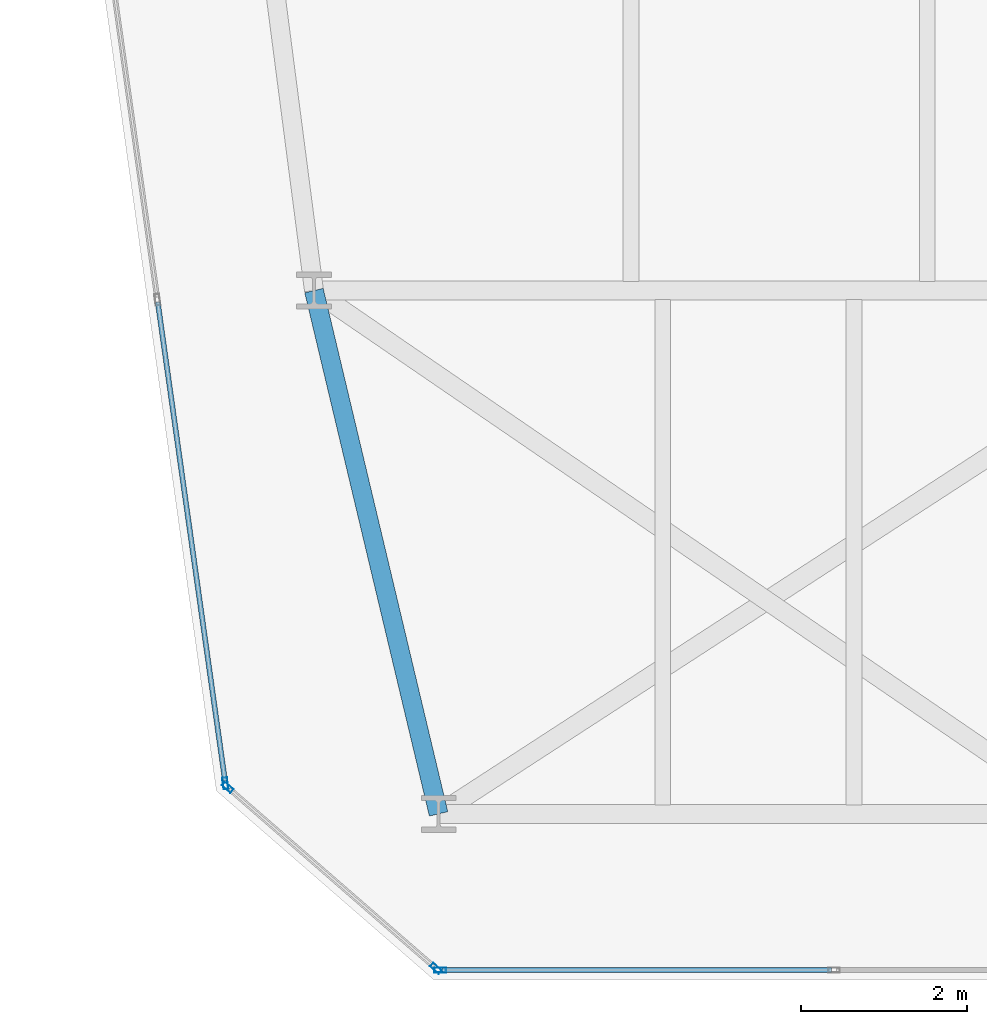
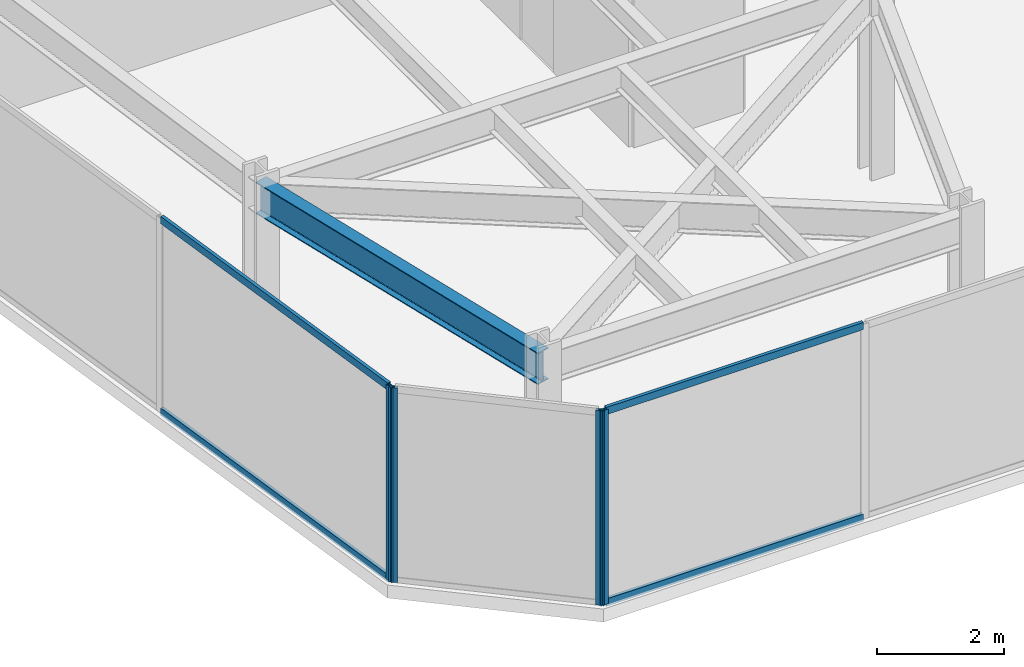
# One storey, part 2 of 26: 8 members, 1 beam, 3 elements without a shape of their own.
"""IFC4 building model written with IfcOpenShell, lengths in metres."""

from ifc_helpers import new_model, si_unit, direction, frame, origin, origin_2d, place, context, subcontext, project, spatial, hollow_rectangle, i_section, extrude, material, layer, layer_set, material_profile, profile_set, type_object, element, aggregate, save


model = new_model("IFC4")

# Units and contexts
model_context = context("Model", 3, precision=1e-05, world=origin(), true_north=direction((0.0, 1.0)))
body_context = subcontext(model_context, "Body", "Model", "MODEL_VIEW")
ifc_project = project(units=[si_unit("LENGTHUNIT", "METRE"), si_unit("AREAUNIT", "SQUARE_METRE"), si_unit("VOLUMEUNIT", "CUBIC_METRE"), si_unit("PLANEANGLEUNIT", "RADIAN"), si_unit("MASSUNIT", "GRAM", prefix="KILO")], contexts=[model_context])

# Site, building, storey
site_placement = place(None, origin())
site = spatial("IfcSite", under=ifc_project, at=site_placement, CompositionType="ELEMENT")
building_placement = place(site_placement, origin())
building = spatial("IfcBuilding", under=site, at=building_placement, Name="Kravanh Interchange Tower", CompositionType="ELEMENT")
storey_placement = place(building_placement, frame((0.0, 0.0, 136.0)))
storey = spatial("IfcBuildingStorey", under=building, at=storey_placement, Name="L32", CompositionType="ELEMENT", Elevation=136.0)

# Curtain wall, member
ifc_material_1 = material(Name="Anodised Bronze Aluminium", Category="aluminium")
ifc_layer = layer(ifc_material_1, 0.179931640625)
ifc_layer_set = layer_set([ifc_layer], Name="Unitised Curtain Wall System CW-Z2 Mid Office")
curtain_wall_type = type_object("IfcCurtainWallType", Name="Unitised Curtain Wall System CW-Z2 Mid Office", PredefinedType="NOTDEFINED", material=ifc_layer_set)
curtain_wall_1_placement = place(storey_placement, origin())
curtain_wall_1 = element("IfcCurtainWall", 1, at=curtain_wall_1_placement, inside=storey, type_object=curtain_wall_type, Name="L32 Unitised Curtain Wall CW-L32-01", PredefinedType="NOTDEFINED")
ifc_material_2 = material(Name="Anodised Bronze Aluminium", Category="aluminium")
ifc_material_profile_1 = material_profile(ifc_material_2, hollow_rectangle(XDim=0.06005859375, YDim=0.139892578125, WallThickness=0.00390625, at=origin_2d()), Name="ALU60X140X4")
ifc_profile_set_1 = profile_set([ifc_material_profile_1], Name="Anodised Bronze Aluminium")
member_type_1 = type_object("IfcMemberType", Name="Curtain Wall Mullion ALU60X140X4 Bronze", PredefinedType="MULLION", material=ifc_profile_set_1)
member_1_placement = place(storey_placement, frame((14.93310546875, 8.568359375, 0.0), z_axis=(0.0, 0.0, 1.0), x_axis=(-0.990268103846, -0.13917285118, 0.0)))
member_1 = element("IfcMember", 2, at=member_1_placement, type_object=member_type_1, Name="CW-Z2 mullion 1", PredefinedType="MULLION", context=body_context, shape_type="SweptSolid", body=[
    extrude(hollow_rectangle(XDim=0.06005859375, YDim=0.139892578125, WallThickness=0.00390625, at=origin_2d()), origin(), (0.0, 0.0, 1.0), 3.75),
])

curtain_wall_2_placement = place(storey_placement, origin())
curtain_wall_2 = element("IfcCurtainWall", 3, at=curtain_wall_2_placement, inside=storey, type_object=curtain_wall_type, Name="L32 Unitised Curtain Wall CW-L32-06", PredefinedType="NOTDEFINED")
member_2_placement = place(storey_placement, frame((17.519775390625, 6.320068359375, 0.0), z_axis=(0.0, 0.0, 1.0), x_axis=(0.0, -1.0, 0.0)))
member_2 = element("IfcMember", 4, at=member_2_placement, type_object=member_type_1, Name="CW-Z2 mullion 3", PredefinedType="MULLION", context=body_context, shape_type="SweptSolid", body=[
    extrude(hollow_rectangle(XDim=0.06005859375, YDim=0.139892578125, WallThickness=0.00390625, at=origin_2d()), origin(), (0.0, 0.0, 1.0), 3.75),
])

# Curtain wall, members
curtain_wall_3_placement = place(storey_placement, origin())
curtain_wall_3 = element("IfcCurtainWall", 5, at=curtain_wall_3_placement, inside=storey, type_object=curtain_wall_type, Name="L32 Unitised Curtain Wall CW-L32-07", PredefinedType="NOTDEFINED")
member_3_placement = place(storey_placement, frame((17.467041015625, 6.339599609375, 0.0), z_axis=(0.0, 0.0, 1.0), x_axis=(-0.656047665617, -0.754719458103, 0.0)))
member_3 = element("IfcMember", 6, at=member_3_placement, type_object=member_type_1, Name="CW-Z2 mullion 1", PredefinedType="MULLION", context=body_context, shape_type="SweptSolid", body=[
    extrude(hollow_rectangle(XDim=0.06005859375, YDim=0.139892578125, WallThickness=0.00390625, at=origin_2d()), origin(), (0.0, 0.0, 1.0), 3.75),
])
member_4_placement = place(storey_placement, frame((14.9599609375, 8.51904296875, 0.0), z_axis=(0.0, 0.0, 1.0), x_axis=(-0.656047665617, -0.754719458103, 0.0)))
member_4 = element("IfcMember", 7, at=member_4_placement, type_object=member_type_1, Name="CW-Z2 mullion 2", PredefinedType="MULLION", context=body_context, shape_type="SweptSolid", body=[
    extrude(hollow_rectangle(XDim=0.06005859375, YDim=0.139892578125, WallThickness=0.00390625, at=origin_2d()), origin(), (0.0, 0.0, 1.0), 3.75),
])
aggregate(curtain_wall_3, [member_3, member_4])

# Member
ifc_material_3 = material(Name="Anodised Bronze Aluminium", Category="aluminium")
ifc_material_profile_2 = material_profile(ifc_material_3, hollow_rectangle(XDim=0.06005859375, YDim=0.139892578125, WallThickness=0.00390625, at=origin_2d()), Name="ALU60X140X4")
ifc_profile_set_2 = profile_set([ifc_material_profile_2], Name="Anodised Bronze Aluminium")
member_type_2 = type_object("IfcMemberType", Name="Curtain Wall Transom ALU60X140X4 Bronze", PredefinedType="USERDEFINED", material=ifc_profile_set_2)
member_5_placement = place(storey_placement, frame((14.928955078125, 8.59814453125, 0.030029296875), z_axis=(-0.139148132783, 0.990271577469, 0.0), x_axis=(-0.990271577469, -0.139148132783, 0.0)))
member_5 = element("IfcMember", 8, at=member_5_placement, type_object=member_type_2, Name="CW-Z2 transom 1.1", ObjectType="TRANSOM", PredefinedType="USERDEFINED", context=body_context, shape_type="SweptSolid", body=[
    extrude(hollow_rectangle(XDim=0.06005859375, YDim=0.139892578125, WallThickness=0.00390625, at=origin_2d()), origin(), (0.0, 0.0, 1.0), 5.81982421875),
])

member_6_placement = place(storey_placement, frame((14.928955078125, 8.59814453125, 3.719970703125), z_axis=(-0.139148132783, 0.990271577469, 0.0), x_axis=(-0.990271577469, -0.139148132783, 0.0)))
member_6 = element("IfcMember", 9, at=member_6_placement, type_object=member_type_2, Name="CW-Z2 transom 1.2", ObjectType="TRANSOM", PredefinedType="USERDEFINED", context=body_context, shape_type="SweptSolid", body=[
    extrude(hollow_rectangle(XDim=0.06005859375, YDim=0.139892578125, WallThickness=0.00390625, at=origin_2d()), origin(), (0.0, 0.0, 1.0), 5.81982421875),
])

aggregate(curtain_wall_1, [member_1, member_5, member_6])

member_7_placement = place(storey_placement, frame((22.232177734375, 6.320068359375, 0.030029296875), z_axis=(-1.0, 0.0, 0.0), x_axis=(0.0, -1.0, 0.0)))
member_7 = element("IfcMember", 10, at=member_7_placement, type_object=member_type_2, Name="CW-Z2 transom 2.1", ObjectType="TRANSOM", PredefinedType="USERDEFINED", context=body_context, shape_type="SweptSolid", body=[
    extrude(hollow_rectangle(XDim=0.06005859375, YDim=0.139892578125, WallThickness=0.00390625, at=origin_2d()), origin(), (0.0, 0.0, 1.0), 4.682373046875),
])

member_8_placement = place(storey_placement, frame((22.232177734375, 6.320068359375, 3.719970703125), z_axis=(-1.0, 0.0, 0.0), x_axis=(0.0, -1.0, 0.0)))
member_8 = element("IfcMember", 11, at=member_8_placement, type_object=member_type_2, Name="CW-Z2 transom 2.2", ObjectType="TRANSOM", PredefinedType="USERDEFINED", context=body_context, shape_type="SweptSolid", body=[
    extrude(hollow_rectangle(XDim=0.06005859375, YDim=0.139892578125, WallThickness=0.00390625, at=origin_2d()), origin(), (0.0, 0.0, 1.0), 4.682373046875),
])

aggregate(curtain_wall_2, [member_2, member_7, member_8])

# Beam
ifc_material_4 = material(Name="Structural Steel S355", Category="steel")
ifc_material_profile_3 = material_profile(ifc_material_4, i_section(OverallWidth=0.22802734375, OverallDepth=0.60791015625, WebThickness=0.01123046875, FlangeThickness=0.017333984375, FilletRadius=0.02197265625, at=origin_2d()), Name="W24X76")
ifc_profile_set_3 = profile_set([ifc_material_profile_3], Name="Structural Steel S355")
beam_type = type_object("IfcBeamType", Name="Floor Spandrel W24X76 Structural Steel S355", PredefinedType="SPANDREL", material=ifc_profile_set_3)
beam_placement = place(storey_placement, frame((17.5, 8.199951171875, 3.446044921875), z_axis=(-0.231618828452, 0.972806619173, 0.0), x_axis=(-0.972806619173, -0.231618828452, 0.0)))
element("IfcBeam", 12, at=beam_placement, inside=storey, type_object=beam_type, Name="L32 Perimeter Spandrel 34", PredefinedType="SPANDREL", context=body_context, shape_type="SweptSolid", body=[
    extrude(i_section(OverallWidth=0.22802734375, OverallDepth=0.60791015625, WebThickness=0.01123046875, FlangeThickness=0.017333984375, FilletRadius=0.02197265625, at=origin_2d()), origin(), (0.0, 0.0, 1.0), 6.47607421875),
])

save(model, "model.ifc")
